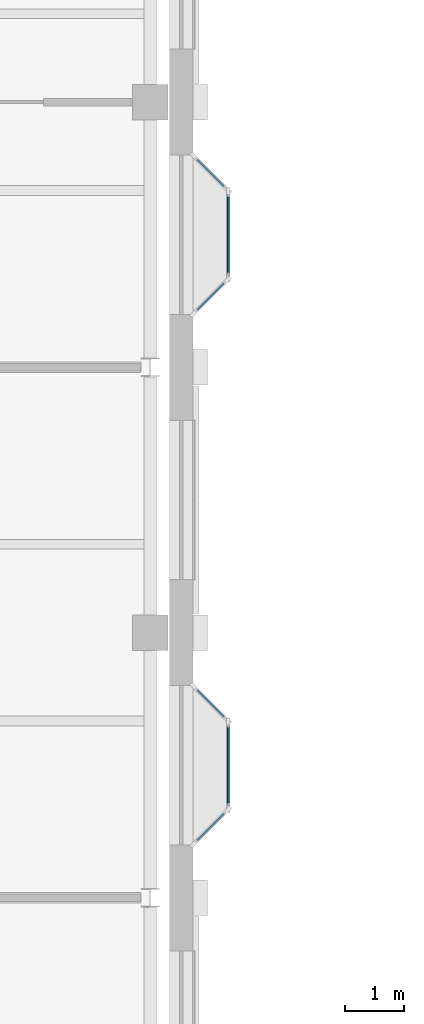
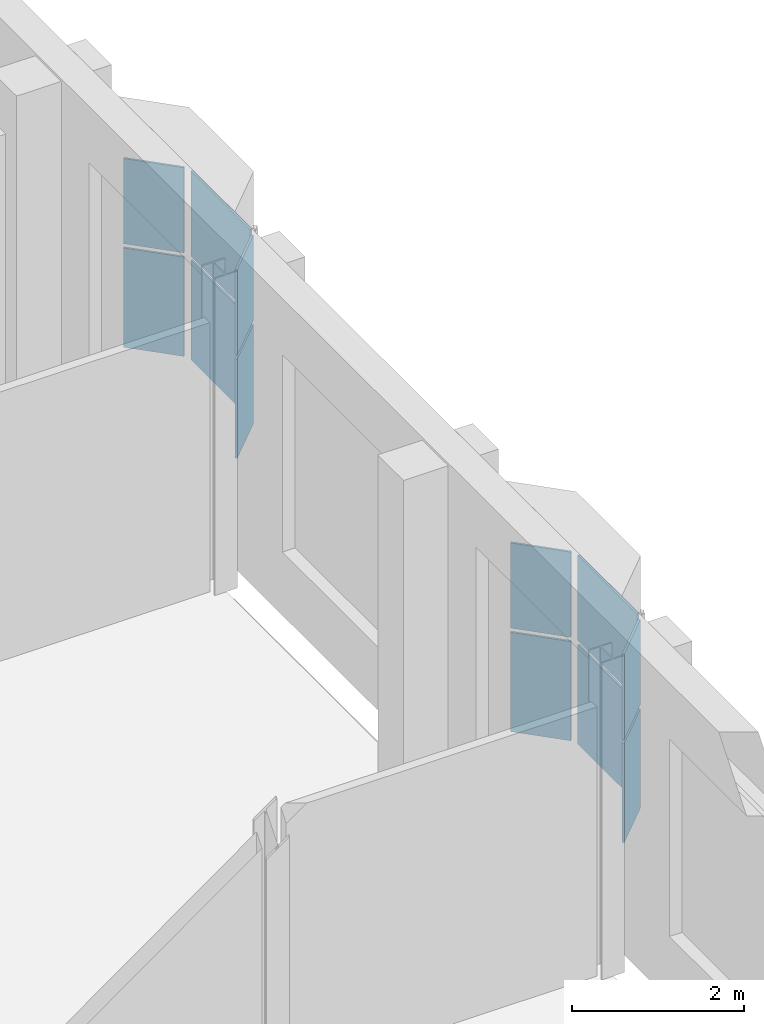
# One storey, part 19 of 59: 12 plates, 6 elements without a shape of their own.
"""IFC4 building model written with IfcOpenShell, lengths in metres."""

import ifcopenshell
import ifcopenshell.guid

model = None  # the IFC model being written
_history = None  # IfcOwnerHistory: only IFC2X3 demands one
_inside = {}  # id of a spatial element -> (the spatial element, [elements in it])
_under = {}  # id of a project, library or spatial element -> (it, [spatial elements below it])
_declared = {}  # id of a project -> (the project, [libraries it declares])
_typed = {}  # id of a type object -> (the type object, [elements of that type])
_made_of = {}  # id of a material, layer set ... -> (it, [elements and type objects made of it])


def new_model(schema):
    """Start an empty IFC model of exactly this schema.

    Asked for "IFC4X3", IfcOpenShell would pick the latest addendum, in which some entities
    have other attributes; the version numbers below select the first issue.
    IFC2X3 requires an IfcOwnerHistory on every rooted entity: one is made here for all.
    """
    global model, _history
    if schema == "IFC4X3":
        model = ifcopenshell.file(schema_version=(4, 3, 0, 0))
    else:
        model = ifcopenshell.file(schema=schema)
    _inside.clear()
    _under.clear()
    _declared.clear()
    _typed.clear()
    _made_of.clear()
    _history = None
    if model.schema == "IFC2X3":
        org = make("IfcOrganization", Name="unknown")
        user = make(
            "IfcPersonAndOrganization",
            ThePerson=make("IfcPerson", FamilyName="unknown"),
            TheOrganization=org,
        )
        app = make(
            "IfcApplication",
            ApplicationDeveloper=org,
            Version="unknown",
            ApplicationFullName="unknown",
            ApplicationIdentifier="unknown",
        )
        _history = make(
            "IfcOwnerHistory",
            OwningUser=user,
            OwningApplication=app,
            ChangeAction="ADDED",
            CreationDate=0,
        )
    return model


def make(cls, **values):
    """One entity of the class cls with the attributes given. An attribute that is None is left unset."""
    return model.create_entity(
        cls, **{name: value for name, value in values.items() if value is not None}
    )


def rooted(cls, **values):
    """An entity with a GlobalId (a new one), such as an element, a storey or a relation."""
    return make(cls, GlobalId=ifcopenshell.guid.new(), OwnerHistory=_history, **values)


def si_unit(unit_type, name, prefix=None):
    """IfcSIUnit, for example si_unit("LENGTHUNIT", "METRE", prefix="MILLI")."""
    return make("IfcSIUnit", UnitType=unit_type, Prefix=prefix, Name=name)


def assignment(units):
    """IfcUnitAssignment: the units of a project."""
    return None if units is None else make("IfcUnitAssignment", Units=units)


def point(xyz):
    """IfcCartesianPoint."""
    return None if xyz is None else make("IfcCartesianPoint", Coordinates=xyz)


def direction(xyz):
    """IfcDirection."""
    return None if xyz is None else make("IfcDirection", DirectionRatios=xyz)


def frame(location, z_axis=None, x_axis=None):
    """IfcAxis2Placement3D, a coordinate frame: its origin and axes. An axis left out is left unset."""
    return make(
        "IfcAxis2Placement3D",
        Location=point(location),
        Axis=direction(z_axis),
        RefDirection=direction(x_axis),
    )


def frame_2d(location, x_axis=None):
    """IfcAxis2Placement2D, a coordinate frame in the plane: its origin and x axis."""
    return make(
        "IfcAxis2Placement2D", Location=point(location), RefDirection=direction(x_axis)
    )


def origin():
    """The frame at (0, 0, 0) with its axes left unset."""
    return frame((0.0, 0.0, 0.0))


def origin_2d():
    """The frame at (0, 0) in the plane with its x axis left unset."""
    return frame_2d((0.0, 0.0))


def place(relative_to, where):
    """IfcLocalPlacement: puts the frame where relative to a parent placement (None: the world)."""
    return make(
        "IfcLocalPlacement", PlacementRelTo=relative_to, RelativePlacement=where
    )


def context(
    kind, dimensions, precision=None, world=None, true_north=None, identifier=None
):
    """IfcGeometricRepresentationContext, for example the 3D "Model" context."""
    return make(
        "IfcGeometricRepresentationContext",
        ContextIdentifier=identifier,
        ContextType=kind,
        CoordinateSpaceDimension=dimensions,
        Precision=precision,
        WorldCoordinateSystem=world,
        TrueNorth=true_north,
    )


def subcontext(parent, identifier, kind, view, scale=None):
    """IfcGeometricRepresentationSubContext, for example "Body" below "Model"."""
    return make(
        "IfcGeometricRepresentationSubContext",
        ContextIdentifier=identifier,
        ContextType=kind,
        ParentContext=parent,
        TargetScale=scale,
        TargetView=view,
    )


def project(units=None, contexts=None):
    """IfcProject with its units and contexts."""
    return rooted(
        "IfcProject",
        Name="project",
        RepresentationContexts=contexts,
        UnitsInContext=assignment(units),
    )


def spatial(cls, under=None, at=None, **own):
    """A site, building, storey or space (cls), placed at a placement, below another one or the project."""
    s = rooted(cls, ObjectPlacement=at, **own)
    if under is not None:
        _under.setdefault(under.id(), (under, []))[1].append(s)
    return s


def profile(cls, at=None, kind="AREA", **sizes):
    """A parametric profile (cls). Its sizes go by their IFC names, for example OverallWidth=200.0."""
    return make(cls, ProfileType=kind, Position=at, **sizes)


def rectangle(**sizes):
    """IfcRectangleProfileDef."""
    return profile("IfcRectangleProfileDef", **sizes)


def extrude(swept, where, along, depth):
    """IfcExtrudedAreaSolid: the profile swept, set in the frame where, extruded along a direction by depth."""
    return make(
        "IfcExtrudedAreaSolid",
        SweptArea=swept,
        Position=where,
        ExtrudedDirection=direction(along),
        Depth=depth,
    )


def shape(context_of_items, identifier, shape_type, items):
    """IfcShapeRepresentation: the items that make up one representation, for example the "Body"."""
    return make(
        "IfcShapeRepresentation",
        ContextOfItems=context_of_items,
        RepresentationIdentifier=identifier,
        RepresentationType=shape_type,
        Items=items,
    )


def material(Name=None, Category=None):
    """IfcMaterial."""
    return make("IfcMaterial", Name=Name, Category=Category)


def layer(
    of_material, thickness, ventilated=None, Name=None, Category=None, Priority=None
):
    """IfcMaterialLayer: one layer of a wall or slab, of a material (None: an air gap)."""
    return make(
        "IfcMaterialLayer",
        Material=of_material,
        LayerThickness=thickness,
        IsVentilated=ventilated,
        Name=Name,
        Category=Category,
        Priority=Priority,
    )


def layer_set(layers, Name=None):
    """IfcMaterialLayerSet."""
    return make("IfcMaterialLayerSet", MaterialLayers=layers, LayerSetName=Name)


def made_of(thing, what):
    """Note that an element or type object is made of a material, layer set ...; save() writes the relation."""
    if what is not None:
        _made_of.setdefault(what.id(), (what, []))[1].append(thing)
    return thing


def type_object(cls, material=None, **own):
    """A type object (cls), such as IfcWallType, which elements share."""
    return made_of(rooted(cls, **own), material)


def element(
    cls,
    number,
    at=None,
    inside=None,
    cuts=None,
    type_object=None,
    material=None,
    context=None,
    identifier="Body",
    shape_type=None,
    held_by="IfcProductDefinitionShape",
    body=None,
    shapes=None,
    **own,
):
    """One element of the class cls, such as IfcWall. Its Tag is "e" and its number.

    at: its placement. inside: the storey or other place that contains it. cuts: it is an
    opening in that element (IfcRelVoidsElement). A single representation is given by context,
    identifier, shape_type and body (its items); several are given by shapes. held_by: the class
    of the entity that holds the representations. save() writes the other relations.
    """
    e = rooted(cls, Tag="e%d" % number, ObjectPlacement=at, **own)
    if body is not None:
        shapes = [shape(context, identifier, shape_type, body)]
    if shapes is not None:
        e.Representation = make(held_by, Representations=shapes)
    if inside is not None:
        _inside.setdefault(inside.id(), (inside, []))[1].append(e)
    if cuts is not None:
        rooted(
            "IfcRelVoidsElement", RelatingBuildingElement=cuts, RelatedOpeningElement=e
        )
    if type_object is not None:
        _typed.setdefault(type_object.id(), (type_object, []))[1].append(e)
    return made_of(e, material)


def aggregate(whole, parts):
    """IfcRelAggregates: a whole, such as a stair, and the parts it consists of."""
    return rooted("IfcRelAggregates", RelatingObject=whole, RelatedObjects=parts)


def save(model, path):
    """Write the relations noted so far, then the file.

    IfcRelAggregates (storeys below a building ...), IfcRelContainedInSpatialStructure (elements
    in a storey), IfcRelDefinesByType, IfcRelAssociatesMaterial and IfcRelDeclares: one each for
    every whole, place, type object, material and project.
    """
    for whole, parts in _under.values():
        aggregate(whole, parts)
    for where, things in _inside.values():
        rooted(
            "IfcRelContainedInSpatialStructure",
            RelatedElements=things,
            RelatingStructure=where,
        )
    for kind, things in _typed.values():
        rooted("IfcRelDefinesByType", RelatedObjects=things, RelatingType=kind)
    for what, things in _made_of.values():
        rooted("IfcRelAssociatesMaterial", RelatedObjects=things, RelatingMaterial=what)
    for by, libraries in _declared.values():
        rooted("IfcRelDeclares", RelatingContext=by, RelatedDefinitions=libraries)
    model.write(path)


model = new_model("IFC4")

# Units and contexts
model_context = context("Model", 3, precision=1e-05, world=origin(), true_north=direction((0.0, 1.0)))
body_context = subcontext(model_context, "Body", "Model", "MODEL_VIEW")
ifc_project = project(units=[si_unit("LENGTHUNIT", "METRE"), si_unit("AREAUNIT", "SQUARE_METRE"), si_unit("VOLUMEUNIT", "CUBIC_METRE"), si_unit("PLANEANGLEUNIT", "RADIAN"), si_unit("MASSUNIT", "GRAM", prefix="KILO")], contexts=[model_context])

# Site, building, storey
site_placement = place(None, origin())
site = spatial("IfcSite", under=ifc_project, at=site_placement, CompositionType="ELEMENT")
building_placement = place(site_placement, origin())
building = spatial("IfcBuilding", under=site, at=building_placement, Name="Hortulan Conservatory and Botanical Research Centre", CompositionType="ELEMENT")
storey_placement = place(building_placement, frame((0.0, 0.0, 10.5)))
storey = spatial("IfcBuildingStorey", under=building, at=storey_placement, Name="L02", CompositionType="ELEMENT", Elevation=10.5)

# Curtain wall, plates
ifc_material_1 = material(Name="Bronze-finished aluminium", Category="aluminium")
ifc_layer_1 = layer(ifc_material_1, 0.10009765625)
ifc_layer_set_1 = layer_set([ifc_layer_1], Name="Oriel Curtain Wall 1350 module")
curtain_wall_type = type_object("IfcCurtainWallType", Name="Oriel Curtain Wall 1350 module", PredefinedType="NOTDEFINED", material=ifc_layer_set_1)
curtain_wall_1_placement = place(storey_placement, origin())
curtain_wall_1 = element("IfcCurtainWall", 1, at=curtain_wall_1_placement, inside=storey, type_object=curtain_wall_type, Name="Oriel glazing", PredefinedType="NOTDEFINED")
ifc_material_2 = material(Name="Low-e laminated glass", Category="glass")
ifc_layer_2 = layer(ifc_material_2, 0.028076171875)
ifc_layer_set_2 = layer_set([ifc_layer_2], Name="Laminated Glass Panel 28")
plate_type = type_object("IfcPlateType", Name="Laminated Glass Panel 28", PredefinedType="CURTAIN_PANEL", material=ifc_layer_set_2)
plate_1_placement = place(storey_placement, frame((32.52490234375, 48.300048828125, 0.9599609375), z_axis=(0.0, 0.0, 1.0), x_axis=(0.707106781187, -0.707106781187, 0.0)))
plate_1 = element("IfcPlate", 2, at=plate_1_placement, type_object=plate_type, Name="CW2 panel 1.1", PredefinedType="CURTAIN_PANEL", context=body_context, shape_type="SweptSolid", body=[
    extrude(rectangle(XDim=0.728515625, YDim=0.028076171875, at=origin_2d()), origin(), (0.0, 0.0, 1.0), 1.409912109375),
])
plate_2_placement = place(storey_placement, frame((32.52490234375, 48.300048828125, 2.429931640625), z_axis=(0.0, 0.0, 1.0), x_axis=(0.707106781187, -0.707106781187, 0.0)))
plate_2 = element("IfcPlate", 3, at=plate_2_placement, type_object=plate_type, Name="CW2 panel 1.2", PredefinedType="CURTAIN_PANEL", context=body_context, shape_type="SweptSolid", body=[
    extrude(rectangle(XDim=0.728515625, YDim=0.028076171875, at=origin_2d()), origin(), (0.0, 0.0, 1.0), 1.2099609375),
])
aggregate(curtain_wall_1, [plate_1, plate_2])

curtain_wall_2_placement = place(storey_placement, origin())
curtain_wall_2 = element("IfcCurtainWall", 4, at=curtain_wall_2_placement, inside=storey, type_object=curtain_wall_type, Name="Oriel glazing", PredefinedType="NOTDEFINED")
plate_3_placement = place(storey_placement, frame((32.824951171875, 47.25, 0.9599609375), z_axis=(0.0, 0.0, 1.0), x_axis=(0.0, -1.0, 0.0)))
plate_3 = element("IfcPlate", 5, at=plate_3_placement, type_object=plate_type, Name="CW2 panel 1.1", PredefinedType="CURTAIN_PANEL", context=body_context, shape_type="SweptSolid", body=[
    extrude(rectangle(XDim=1.3798828125, YDim=0.028076171875, at=origin_2d()), origin(), (0.0, 0.0, 1.0), 1.409912109375),
])
plate_4_placement = place(storey_placement, frame((32.824951171875, 47.25, 2.429931640625), z_axis=(0.0, 0.0, 1.0), x_axis=(0.0, -1.0, 0.0)))
plate_4 = element("IfcPlate", 6, at=plate_4_placement, type_object=plate_type, Name="CW2 panel 1.2", PredefinedType="CURTAIN_PANEL", context=body_context, shape_type="SweptSolid", body=[
    extrude(rectangle(XDim=1.3798828125, YDim=0.028076171875, at=origin_2d()), origin(), (0.0, 0.0, 1.0), 1.2099609375),
])
aggregate(curtain_wall_2, [plate_3, plate_4])

curtain_wall_3_placement = place(storey_placement, origin())
curtain_wall_3 = element("IfcCurtainWall", 7, at=curtain_wall_3_placement, inside=storey, type_object=curtain_wall_type, Name="Oriel glazing", PredefinedType="NOTDEFINED")
plate_5_placement = place(storey_placement, frame((32.52490234375, 46.199951171875, 0.9599609375), z_axis=(0.0, 0.0, 1.0), x_axis=(-0.707106781187, -0.707106781187, 0.0)))
plate_5 = element("IfcPlate", 8, at=plate_5_placement, type_object=plate_type, Name="CW2 panel 1.1", PredefinedType="CURTAIN_PANEL", context=body_context, shape_type="SweptSolid", body=[
    extrude(rectangle(XDim=0.728515625, YDim=0.028076171875, at=origin_2d()), origin(), (0.0, 0.0, 1.0), 1.409912109375),
])
plate_6_placement = place(storey_placement, frame((32.52490234375, 46.199951171875, 2.429931640625), z_axis=(0.0, 0.0, 1.0), x_axis=(-0.707106781187, -0.707106781187, 0.0)))
plate_6 = element("IfcPlate", 9, at=plate_6_placement, type_object=plate_type, Name="CW2 panel 1.2", PredefinedType="CURTAIN_PANEL", context=body_context, shape_type="SweptSolid", body=[
    extrude(rectangle(XDim=0.728515625, YDim=0.028076171875, at=origin_2d()), origin(), (0.0, 0.0, 1.0), 1.2099609375),
])
aggregate(curtain_wall_3, [plate_5, plate_6])

curtain_wall_4_placement = place(storey_placement, origin())
curtain_wall_4 = element("IfcCurtainWall", 10, at=curtain_wall_4_placement, inside=storey, type_object=curtain_wall_type, Name="Oriel glazing", PredefinedType="NOTDEFINED")
plate_7_placement = place(storey_placement, frame((32.52490234375, 57.300048828125, 0.9599609375), z_axis=(0.0, 0.0, 1.0), x_axis=(0.707106781187, -0.707106781187, 0.0)))
plate_7 = element("IfcPlate", 11, at=plate_7_placement, type_object=plate_type, Name="CW2 panel 1.1", PredefinedType="CURTAIN_PANEL", context=body_context, shape_type="SweptSolid", body=[
    extrude(rectangle(XDim=0.728515625, YDim=0.028076171875, at=origin_2d()), origin(), (0.0, 0.0, 1.0), 1.409912109375),
])
plate_8_placement = place(storey_placement, frame((32.52490234375, 57.300048828125, 2.429931640625), z_axis=(0.0, 0.0, 1.0), x_axis=(0.707106781187, -0.707106781187, 0.0)))
plate_8 = element("IfcPlate", 12, at=plate_8_placement, type_object=plate_type, Name="CW2 panel 1.2", PredefinedType="CURTAIN_PANEL", context=body_context, shape_type="SweptSolid", body=[
    extrude(rectangle(XDim=0.728515625, YDim=0.028076171875, at=origin_2d()), origin(), (0.0, 0.0, 1.0), 1.2099609375),
])
aggregate(curtain_wall_4, [plate_7, plate_8])

curtain_wall_5_placement = place(storey_placement, origin())
curtain_wall_5 = element("IfcCurtainWall", 13, at=curtain_wall_5_placement, inside=storey, type_object=curtain_wall_type, Name="Oriel glazing", PredefinedType="NOTDEFINED")
plate_9_placement = place(storey_placement, frame((32.824951171875, 56.25, 0.9599609375), z_axis=(0.0, 0.0, 1.0), x_axis=(0.0, -1.0, 0.0)))
plate_9 = element("IfcPlate", 14, at=plate_9_placement, type_object=plate_type, Name="CW2 panel 1.1", PredefinedType="CURTAIN_PANEL", context=body_context, shape_type="SweptSolid", body=[
    extrude(rectangle(XDim=1.3798828125, YDim=0.028076171875, at=origin_2d()), origin(), (0.0, 0.0, 1.0), 1.409912109375),
])
plate_10_placement = place(storey_placement, frame((32.824951171875, 56.25, 2.429931640625), z_axis=(0.0, 0.0, 1.0), x_axis=(0.0, -1.0, 0.0)))
plate_10 = element("IfcPlate", 15, at=plate_10_placement, type_object=plate_type, Name="CW2 panel 1.2", PredefinedType="CURTAIN_PANEL", context=body_context, shape_type="SweptSolid", body=[
    extrude(rectangle(XDim=1.3798828125, YDim=0.028076171875, at=origin_2d()), origin(), (0.0, 0.0, 1.0), 1.2099609375),
])
aggregate(curtain_wall_5, [plate_9, plate_10])

curtain_wall_6_placement = place(storey_placement, origin())
curtain_wall_6 = element("IfcCurtainWall", 16, at=curtain_wall_6_placement, inside=storey, type_object=curtain_wall_type, Name="Oriel glazing", PredefinedType="NOTDEFINED")
plate_11_placement = place(storey_placement, frame((32.52490234375, 55.199951171875, 0.9599609375), z_axis=(0.0, 0.0, 1.0), x_axis=(-0.707106781187, -0.707106781187, 0.0)))
plate_11 = element("IfcPlate", 17, at=plate_11_placement, type_object=plate_type, Name="CW2 panel 1.1", PredefinedType="CURTAIN_PANEL", context=body_context, shape_type="SweptSolid", body=[
    extrude(rectangle(XDim=0.728515625, YDim=0.028076171875, at=origin_2d()), origin(), (0.0, 0.0, 1.0), 1.409912109375),
])
plate_12_placement = place(storey_placement, frame((32.52490234375, 55.199951171875, 2.429931640625), z_axis=(0.0, 0.0, 1.0), x_axis=(-0.707106781187, -0.707106781187, 0.0)))
plate_12 = element("IfcPlate", 18, at=plate_12_placement, type_object=plate_type, Name="CW2 panel 1.2", PredefinedType="CURTAIN_PANEL", context=body_context, shape_type="SweptSolid", body=[
    extrude(rectangle(XDim=0.728515625, YDim=0.028076171875, at=origin_2d()), origin(), (0.0, 0.0, 1.0), 1.2099609375),
])
aggregate(curtain_wall_6, [plate_11, plate_12])

save(model, "model.ifc")
